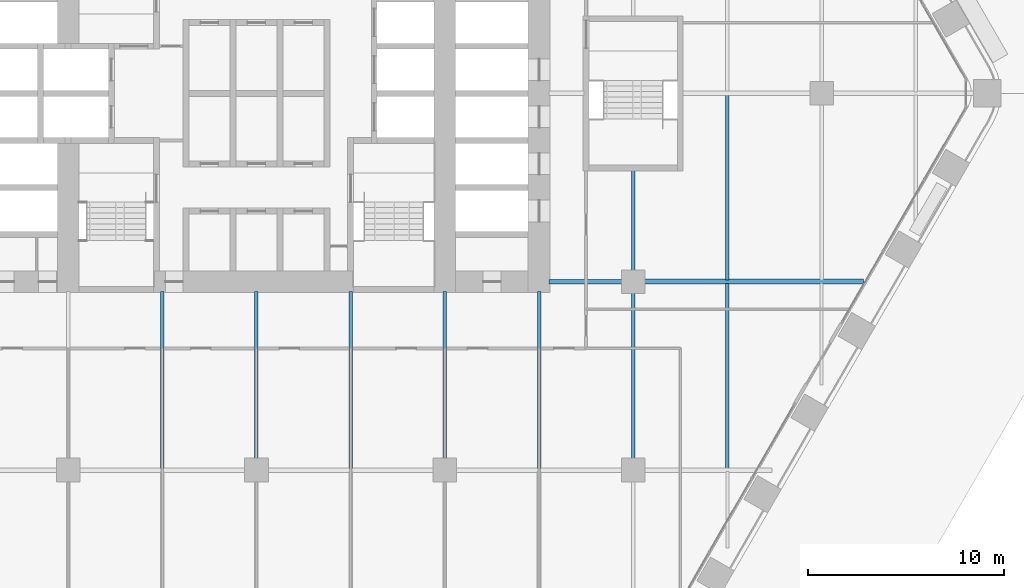
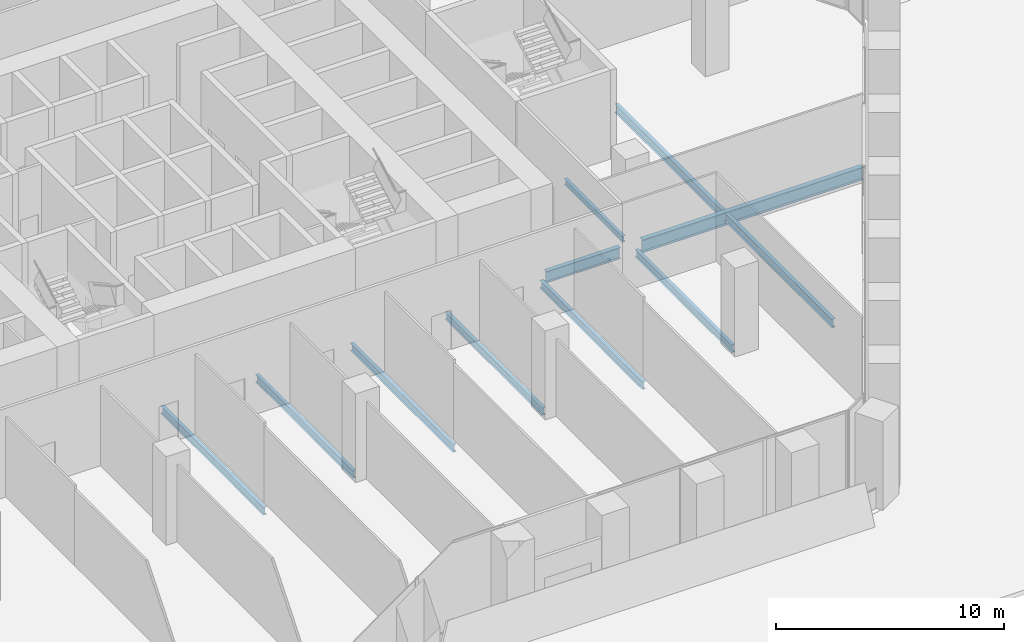
# One storey, part 6 of 29: 11 beams.
"""IFC4 building model written with IfcOpenShell, lengths in metres."""

from ifc_helpers import new_model, si_unit, direction, frame, origin, origin_2d, place, context, subcontext, project, spatial, i_section, extrude, material, material_profile, profile_set, type_object, element, save


model = new_model("IFC4")

# Units and contexts
model_context = context("Model", 3, precision=1e-05, world=origin(), true_north=direction((0.0, 1.0)))
body_context = subcontext(model_context, "Body", "Model", "MODEL_VIEW")
ifc_project = project(units=[si_unit("LENGTHUNIT", "METRE"), si_unit("AREAUNIT", "SQUARE_METRE"), si_unit("VOLUMEUNIT", "CUBIC_METRE"), si_unit("PLANEANGLEUNIT", "RADIAN"), si_unit("MASSUNIT", "GRAM", prefix="KILO")], contexts=[model_context])

# Site, building, storey
site_placement = place(None, origin())
site = spatial("IfcSite", under=ifc_project, at=site_placement, CompositionType="ELEMENT")
building_placement = place(site_placement, origin())
building = spatial("IfcBuilding", under=site, at=building_placement, Name="Kolab Exchange Tower", CompositionType="ELEMENT")
storey_placement = place(building_placement, frame((0.0, 0.0, 17.39990234375)))
storey = spatial("IfcBuildingStorey", under=building, at=storey_placement, Name="L03", CompositionType="ELEMENT", Elevation=17.39990234375)

# Beams
ifc_material = material(Name="Steel S355", Category="steel")
ifc_material_profile_1 = material_profile(ifc_material, i_section(OverallWidth=0.1650390625, OverallDepth=0.31005859375, WebThickness=0.005859375, FlangeThickness=0.009765625, at=origin_2d()), Name="W310X39")
ifc_profile_set_1 = profile_set([ifc_material_profile_1], Name="Steel S355")
beam_type_1 = type_object("IfcBeamType", Name="FLOOR BEAM W310X39", PredefinedType="BEAM", material=ifc_profile_set_1)
beam_1_placement = place(storey_placement, frame((19.199951171875, -9.0400390625, -0.40478515625), z_axis=(0.0, 1.0, 0.0), x_axis=(-1.0, 0.0, 0.0)))
element("IfcBeam", 1, at=beam_1_placement, inside=storey, type_object=beam_type_1, Name="beam/L03/fr/064", PredefinedType="BEAM", context=body_context, shape_type="SweptSolid", body=[
    extrude(i_section(OverallWidth=0.1650390625, OverallDepth=0.31005859375, WebThickness=0.005859375, FlangeThickness=0.009765625, at=origin_2d()), origin(), (0.0, 0.0, 1.0), 5.130126953125),
])
ifc_material_profile_2 = material_profile(ifc_material, i_section(OverallWidth=0.177978515625, OverallDepth=0.406982421875, WebThickness=0.0078125, FlangeThickness=0.0126953125, at=origin_2d()), Name="W410X60")
ifc_profile_set_2 = profile_set([ifc_material_profile_2], Name="Steel S355")
beam_type_2 = type_object("IfcBeamType", Name="FLOOR BEAM W410X60", PredefinedType="BEAM", material=ifc_profile_set_2)
beam_2_placement = place(storey_placement, frame((-4.800048828125, -19.1259765625, -0.453369140625), z_axis=(0.0, 1.0, 0.0), x_axis=(-1.0, 0.0, 0.0)))
element("IfcBeam", 2, at=beam_2_placement, inside=storey, type_object=beam_type_2, Name="beam/L03/fr/033", PredefinedType="BEAM", context=body_context, shape_type="SweptSolid", body=[
    extrude(i_section(OverallWidth=0.177978515625, OverallDepth=0.406982421875, WebThickness=0.0078125, FlangeThickness=0.0126953125, at=origin_2d()), origin(), (0.0, 0.0, 1.0), 9.015869140625),
])
beam_3_placement = place(storey_placement, frame((0.0, -18.639892578125, -0.453369140625), z_axis=(0.0, 1.0, 0.0), x_axis=(-1.0, 0.0, 0.0)))
element("IfcBeam", 3, at=beam_3_placement, inside=storey, type_object=beam_type_2, Name="beam/L03/fr/039", PredefinedType="BEAM", context=body_context, shape_type="SweptSolid", body=[
    extrude(i_section(OverallWidth=0.177978515625, OverallDepth=0.406982421875, WebThickness=0.0078125, FlangeThickness=0.0126953125, at=origin_2d()), origin(), (0.0, 0.0, 1.0), 8.52978515625),
])
beam_4_placement = place(storey_placement, frame((4.800048828125, -19.1259765625, -0.453369140625), z_axis=(0.0, 1.0, 0.0), x_axis=(-1.0, 0.0, 0.0)))
element("IfcBeam", 4, at=beam_4_placement, inside=storey, type_object=beam_type_2, Name="beam/L03/fr/045", PredefinedType="BEAM", context=body_context, shape_type="SweptSolid", body=[
    extrude(i_section(OverallWidth=0.177978515625, OverallDepth=0.406982421875, WebThickness=0.0078125, FlangeThickness=0.0126953125, at=origin_2d()), origin(), (0.0, 0.0, 1.0), 9.015869140625),
])
beam_5_placement = place(storey_placement, frame((9.60009765625, -18.639892578125, -0.453369140625), z_axis=(0.0, 1.0, 0.0), x_axis=(-1.0, 0.0, 0.0)))
element("IfcBeam", 5, at=beam_5_placement, inside=storey, type_object=beam_type_2, Name="beam/L03/fr/051", PredefinedType="BEAM", context=body_context, shape_type="SweptSolid", body=[
    extrude(i_section(OverallWidth=0.177978515625, OverallDepth=0.406982421875, WebThickness=0.0078125, FlangeThickness=0.0126953125, at=origin_2d()), origin(), (0.0, 0.0, 1.0), 8.52978515625),
])
beam_6_placement = place(storey_placement, frame((14.39990234375, -19.1259765625, -0.453369140625), z_axis=(0.0, 1.0, 0.0), x_axis=(-1.0, 0.0, 0.0)))
element("IfcBeam", 6, at=beam_6_placement, inside=storey, type_object=beam_type_2, Name="beam/L03/fr/057", PredefinedType="BEAM", context=body_context, shape_type="SweptSolid", body=[
    extrude(i_section(OverallWidth=0.177978515625, OverallDepth=0.406982421875, WebThickness=0.0078125, FlangeThickness=0.0126953125, at=origin_2d()), origin(), (0.0, 0.0, 1.0), 9.015869140625),
])
beam_7_placement = place(storey_placement, frame((19.199951171875, -18.639892578125, -0.453369140625), z_axis=(0.0, 1.0, 0.0), x_axis=(-1.0, 0.0, 0.0)))
element("IfcBeam", 7, at=beam_7_placement, inside=storey, type_object=beam_type_2, Name="beam/L03/fr/063", PredefinedType="BEAM", context=body_context, shape_type="SweptSolid", body=[
    extrude(i_section(OverallWidth=0.177978515625, OverallDepth=0.406982421875, WebThickness=0.0078125, FlangeThickness=0.0126953125, at=origin_2d()), origin(), (0.0, 0.0, 1.0), 8.47998046875),
])
ifc_material_profile_3 = material_profile(ifc_material, i_section(OverallWidth=0.18994140625, OverallDepth=0.45703125, WebThickness=0.009033203125, FlangeThickness=0.014404296875, at=origin_2d()), Name="W460X74")
ifc_profile_set_3 = profile_set([ifc_material_profile_3], Name="Steel S355")
beam_type_3 = type_object("IfcBeamType", Name="FLOOR BEAM W460X74", PredefinedType="BEAM", material=ifc_profile_set_3)
for number, where, z_axis, x_axis, name in (
    (8, (24.0, -19.1259765625, -0.478515625), (0.0, 1.0, 0.0), (-1.0, 0.0, 0.0), "beam/L03/fr/069"),
    (9, (24.0, -9.512939453125, -0.478515625), (0.0, 1.0, 0.0), (-1.0, 0.0, 0.0), "beam/L03/fr/070"),
):
    element("IfcBeam", number, at=place(storey_placement, frame(where, z_axis=z_axis, x_axis=x_axis)), inside=storey, type_object=beam_type_3, Name=name, PredefinedType="BEAM", context=body_context, shape_type="SweptSolid", body=[
        extrude(i_section(OverallWidth=0.18994140625, OverallDepth=0.45703125, WebThickness=0.009033203125, FlangeThickness=0.014404296875, at=origin_2d()), origin(), (0.0, 0.0, 1.0), 9.43896484375),
    ])
ifc_material_profile_4 = material_profile(ifc_material, i_section(OverallWidth=0.22802734375, OverallDepth=0.60791015625, WebThickness=0.01123046875, FlangeThickness=0.017333984375, at=origin_2d()), Name="W610X113")
ifc_profile_set_4 = profile_set([ifc_material_profile_4], Name="Steel S355")
beam_type_4 = type_object("IfcBeamType", Name="FLOOR GIRDER W610X113", PredefinedType="BEAM", material=ifc_profile_set_4)
beam_8_placement = place(storey_placement, frame((14.909912109375, -9.60009765625, -0.553955078125), z_axis=(1.0, 0.0, 0.0), x_axis=(0.0, 1.0, 0.0)))
element("IfcBeam", 10, at=beam_8_placement, inside=storey, type_object=beam_type_4, Name="beam/L03/gd/026", PredefinedType="BEAM", context=body_context, shape_type="SweptSolid", body=[
    extrude(i_section(OverallWidth=0.22802734375, OverallDepth=0.60791015625, WebThickness=0.01123046875, FlangeThickness=0.017333984375, at=origin_2d()), origin(), (0.0, 0.0, 1.0), 3.72998046875),
])
ifc_material_profile_5 = material_profile(ifc_material, i_section(OverallWidth=0.25390625, OverallDepth=0.68408203125, WebThickness=0.012451171875, FlangeThickness=0.018798828125, at=origin_2d()), Name="W690X140")
ifc_profile_set_5 = profile_set([ifc_material_profile_5], Name="Steel S355")
beam_type_5 = type_object("IfcBeamType", Name="FLOOR GIRDER W690X140", PredefinedType="BEAM", material=ifc_profile_set_5)
beam_9_placement = place(storey_placement, frame((19.760009765625, -9.60009765625, -0.591796875), z_axis=(1.0, 0.0, 0.0), x_axis=(0.0, 1.0, 0.0)))
element("IfcBeam", 11, at=beam_9_placement, inside=storey, type_object=beam_type_5, Name="beam/L03/gd/030", PredefinedType="BEAM", context=body_context, shape_type="SweptSolid", body=[
    extrude(i_section(OverallWidth=0.25390625, OverallDepth=0.68408203125, WebThickness=0.012451171875, FlangeThickness=0.018798828125, at=origin_2d()), origin(), (0.0, 0.0, 1.0), 11.17431640625),
])

save(model, "model.ifc")
